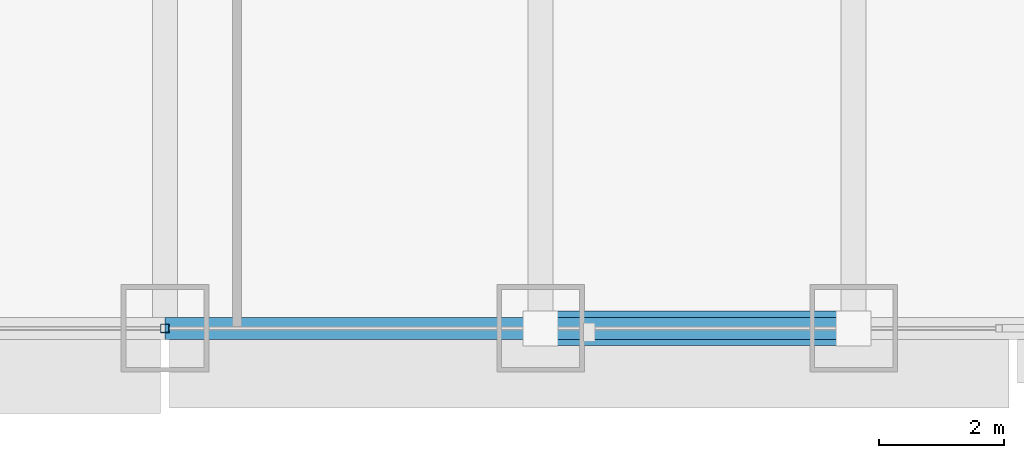
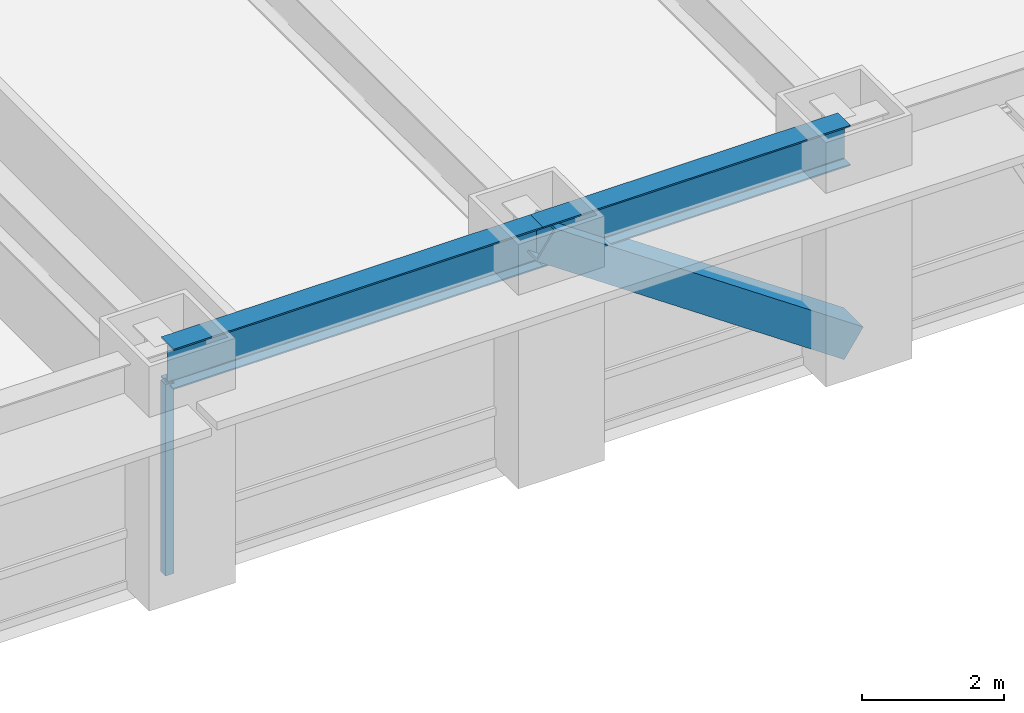
# One storey, part 4 of 32: 2 beams, 2 members, 1 element without a shape of its own.
"""IFC4 building model written with IfcOpenShell, lengths in metres."""

from ifc_helpers import new_model, si_unit, direction, frame, origin, origin_2d, place, context, subcontext, project, spatial, hollow_rectangle, i_section, extrude, source, transform, mapped, material, material_profile, profile_set, type_object, element, aggregate, save


model = new_model("IFC4")

# Units and contexts
model_context = context("Model", 3, precision=1e-05, world=origin(), true_north=direction((0.0, 1.0)))
body_context = subcontext(model_context, "Body", "Model", "MODEL_VIEW")
ifc_project = project(units=[si_unit("LENGTHUNIT", "METRE"), si_unit("AREAUNIT", "SQUARE_METRE"), si_unit("VOLUMEUNIT", "CUBIC_METRE"), si_unit("PLANEANGLEUNIT", "RADIAN"), si_unit("MASSUNIT", "GRAM", prefix="KILO")], contexts=[model_context])

# Site, building, storey
site_placement = place(None, origin())
site = spatial("IfcSite", under=ifc_project, at=site_placement, CompositionType="ELEMENT")
building_placement = place(site_placement, origin())
building = spatial("IfcBuilding", under=site, at=building_placement, Name="Khorayat Bourse Tower", CompositionType="ELEMENT")
storey_placement = place(building_placement, frame((0.0, 0.0, 74.60009765625)))
storey = spatial("IfcBuildingStorey", under=building, at=storey_placement, Name="L16", CompositionType="ELEMENT", Elevation=74.60009765625)

# Beams
ifc_material_1 = material(Name="Steel ASTM A992 Grade 50", Category="steel")
ifc_material_profile_1 = material_profile(ifc_material_1, i_section(OverallWidth=0.35498046875, OverallDepth=0.695068359375, WebThickness=0.015380859375, FlangeThickness=0.02490234375, FilletRadius=0.01806640625, at=origin_2d()), Name="W690X217")
ifc_profile_set_1 = profile_set([ifc_material_profile_1], Name="Steel ASTM A992 Grade 50")
beam_type = type_object("IfcBeamType", Name="BM-SPAN-690", PredefinedType="SPANDREL", material=ifc_profile_set_1)
shared_shape_1 = source(origin(), body_context, "Body", "SweptSolid", [
    extrude(i_section(OverallWidth=0.35498046875, OverallDepth=0.695068359375, WebThickness=0.015380859375, FlangeThickness=0.02490234375, FilletRadius=0.01806640625, at=origin_2d()), origin(), (0.0, 0.0, 1.0), 5.0),
])
beam_1_placement = place(storey_placement, frame((6.0, -32.0, 3.59228515625), z_axis=(1.0, 0.0, 0.0), x_axis=(0.0, 1.0, 0.0)))
element("IfcBeam", 1, at=beam_1_placement, inside=storey, type_object=beam_type, Name="L16 BM-SPAN-690 BM-L16-SPN-029", PredefinedType="SPANDREL", context=body_context, shape_type="MappedRepresentation", body=[
    mapped(shared_shape_1, transform((0.0, 0.0, 0.0), scale=1.0)),
])
shared_shape_2 = source(origin(), body_context, "Body", "SweptSolid", [
    extrude(i_section(OverallWidth=0.35498046875, OverallDepth=0.695068359375, WebThickness=0.015380859375, FlangeThickness=0.02490234375, FilletRadius=0.01806640625, at=origin_2d()), origin(), (0.0, 0.0, 1.0), 6.0),
])
beam_2_placement = place(storey_placement, frame((0.0, -32.0, 3.59228515625), z_axis=(1.0, 0.0, 0.0), x_axis=(0.0, 1.0, 0.0)))
element("IfcBeam", 2, at=beam_2_placement, inside=storey, type_object=beam_type, Name="L16 BM-SPAN-690 BM-L16-SPN-028", PredefinedType="SPANDREL", context=body_context, shape_type="MappedRepresentation", body=[
    mapped(shared_shape_2, transform((0.0, 0.0, 0.0), scale=1.0)),
])

# Member
ifc_material_2 = material(Name="Steel EN 10025-4 S460M", Category="steel")
ifc_material_profile_2 = material_profile(ifc_material_2, hollow_rectangle(XDim=0.550048828125, YDim=0.550048828125, WallThickness=0.031982421875, at=origin_2d()), Name="HSS 550x550x32")
ifc_profile_set_2 = profile_set([ifc_material_profile_2], Name="Steel EN 10025-4 S460M")
member_type_1 = type_object("IfcMemberType", Name="MBR-TUBE-550", PredefinedType="BRACE", material=ifc_profile_set_2)
shared_shape_3 = source(origin(), body_context, "Body", "SweptSolid", [
    extrude(hollow_rectangle(XDim=0.550048828125, YDim=0.550048828125, WallThickness=0.031982421875, at=origin_2d()), origin(), (0.0, 0.0, 1.0), 6.069091796875),
])
member_1_placement = place(storey_placement, frame((6.0, -32.0, 3.68994140625), z_axis=(0.823854080622, 0.0, -0.566801952928), x_axis=(0.0, 1.0, 0.0)))
element("IfcMember", 3, at=member_1_placement, inside=storey, type_object=member_type_1, Name="L16 Perimeter Tube Brace 02", PredefinedType="BRACE", context=body_context, shape_type="MappedRepresentation", body=[
    mapped(shared_shape_3, transform((0.0, 0.0, 0.0), scale=1.0)),
])

# Curtain wall, member
ifc_material_3 = material(Name="Aluminium EN AW-6063 T6", Category="aluminium")
curtain_wall_type = type_object("IfcCurtainWallType", Name="CW-SYS-02", PredefinedType="NOTDEFINED", material=ifc_material_3)
curtain_wall_placement = place(storey_placement, origin())
curtain_wall = element("IfcCurtainWall", 4, at=curtain_wall_placement, inside=storey, type_object=curtain_wall_type, Name="L16 Curtain Wall CW-L16-S1", PredefinedType="NOTDEFINED")
ifc_material_profile_3 = material_profile(ifc_material_3, hollow_rectangle(XDim=0.139892578125, YDim=0.139892578125, WallThickness=0.006103515625, at=origin_2d()), Name="ALU 140x140x6")
ifc_profile_set_3 = profile_set([ifc_material_profile_3], Name="Aluminium EN AW-6063 T6")
member_type_2 = type_object("IfcMemberType", Name="CWM-VERT-140", PredefinedType="MULLION", material=ifc_profile_set_3)
shared_shape_4 = source(origin(), body_context, "Body", "SweptSolid", [
    extrude(hollow_rectangle(XDim=0.139892578125, YDim=0.139892578125, WallThickness=0.006103515625, at=origin_2d()), origin(), (0.0, 0.0, 1.0), 3.289794921875),
])
member_2_placement = place(storey_placement, frame((0.0, -32.0, 0.0), z_axis=(0.0, 0.0, 1.0), x_axis=(0.0, 1.0, 0.0)))
member_2 = element("IfcMember", 5, at=member_2_placement, type_object=member_type_2, Name="CW-L16-S1 Vertical Mullion 2", PredefinedType="MULLION", context=body_context, shape_type="MappedRepresentation", body=[
    mapped(shared_shape_4, transform((0.0, 0.0, 0.0), scale=1.0)),
])
aggregate(curtain_wall, [member_2])

save(model, "model.ifc")
